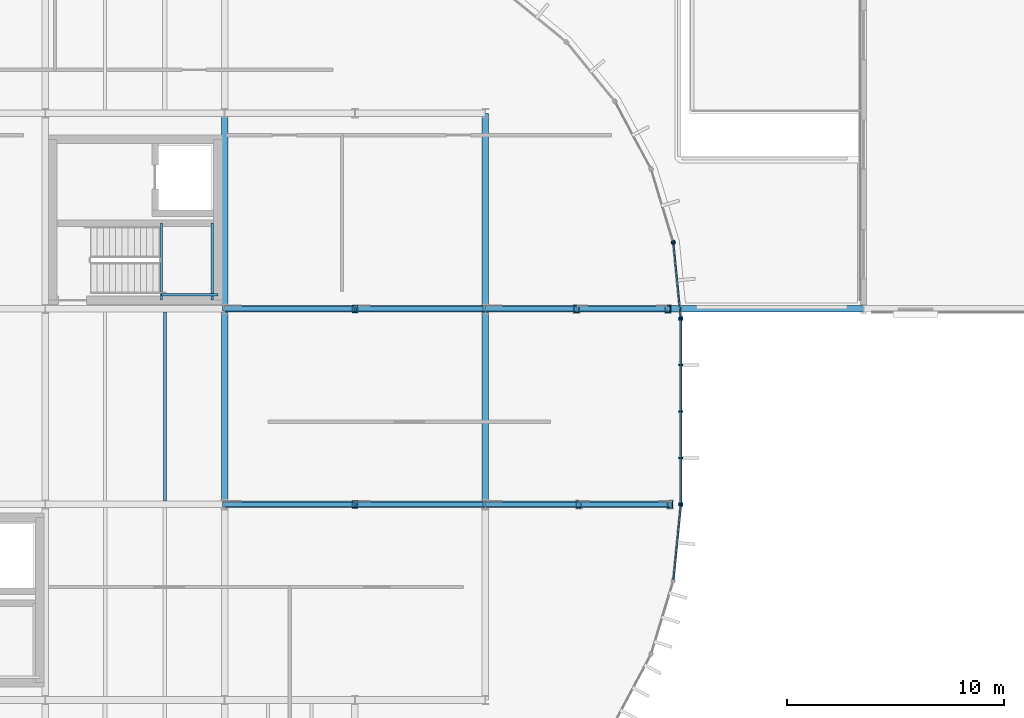
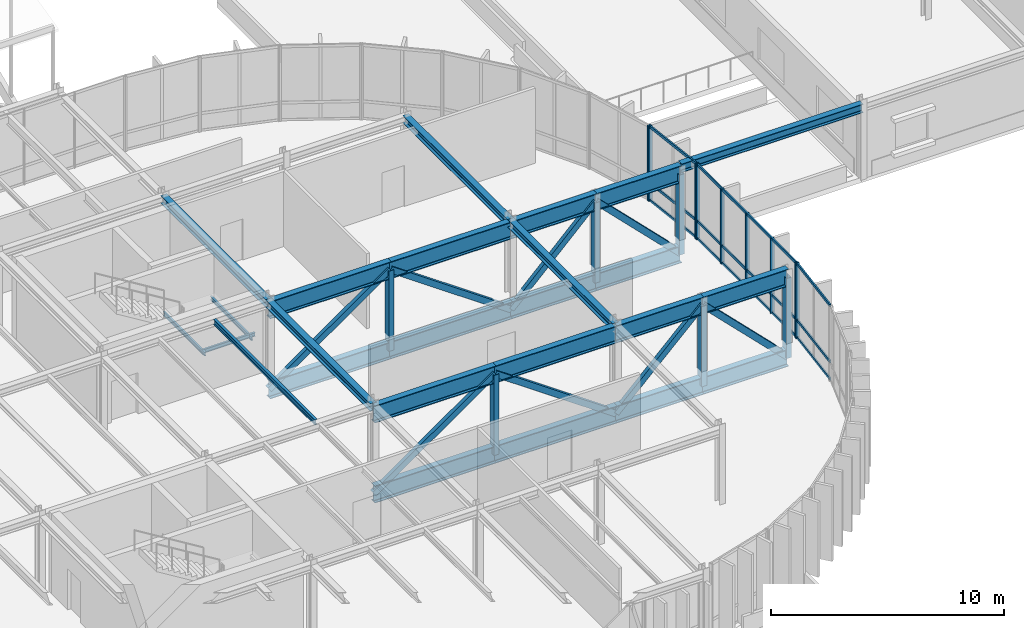
# One storey, part 17 of 69: 32 members, 25 beams, 4 elements without a shape of their own.
"""IFC4 building model written with IfcOpenShell, lengths in metres."""

import ifcopenshell
import ifcopenshell.guid

model = None  # the IFC model being written
_history = None  # IfcOwnerHistory: only IFC2X3 demands one
_inside = {}  # id of a spatial element -> (the spatial element, [elements in it])
_under = {}  # id of a project, library or spatial element -> (it, [spatial elements below it])
_declared = {}  # id of a project -> (the project, [libraries it declares])
_typed = {}  # id of a type object -> (the type object, [elements of that type])
_made_of = {}  # id of a material, layer set ... -> (it, [elements and type objects made of it])


def new_model(schema):
    """Start an empty IFC model of exactly this schema.

    Asked for "IFC4X3", IfcOpenShell would pick the latest addendum, in which some entities
    have other attributes; the version numbers below select the first issue.
    IFC2X3 requires an IfcOwnerHistory on every rooted entity: one is made here for all.
    """
    global model, _history
    if schema == "IFC4X3":
        model = ifcopenshell.file(schema_version=(4, 3, 0, 0))
    else:
        model = ifcopenshell.file(schema=schema)
    _inside.clear()
    _under.clear()
    _declared.clear()
    _typed.clear()
    _made_of.clear()
    _history = None
    if model.schema == "IFC2X3":
        org = make("IfcOrganization", Name="unknown")
        user = make(
            "IfcPersonAndOrganization",
            ThePerson=make("IfcPerson", FamilyName="unknown"),
            TheOrganization=org,
        )
        app = make(
            "IfcApplication",
            ApplicationDeveloper=org,
            Version="unknown",
            ApplicationFullName="unknown",
            ApplicationIdentifier="unknown",
        )
        _history = make(
            "IfcOwnerHistory",
            OwningUser=user,
            OwningApplication=app,
            ChangeAction="ADDED",
            CreationDate=0,
        )
    return model


def make(cls, **values):
    """One entity of the class cls with the attributes given. An attribute that is None is left unset."""
    return model.create_entity(
        cls, **{name: value for name, value in values.items() if value is not None}
    )


def rooted(cls, **values):
    """An entity with a GlobalId (a new one), such as an element, a storey or a relation."""
    return make(cls, GlobalId=ifcopenshell.guid.new(), OwnerHistory=_history, **values)


def si_unit(unit_type, name, prefix=None):
    """IfcSIUnit, for example si_unit("LENGTHUNIT", "METRE", prefix="MILLI")."""
    return make("IfcSIUnit", UnitType=unit_type, Prefix=prefix, Name=name)


def assignment(units):
    """IfcUnitAssignment: the units of a project."""
    return None if units is None else make("IfcUnitAssignment", Units=units)


def point(xyz):
    """IfcCartesianPoint."""
    return None if xyz is None else make("IfcCartesianPoint", Coordinates=xyz)


def direction(xyz):
    """IfcDirection."""
    return None if xyz is None else make("IfcDirection", DirectionRatios=xyz)


def frame(location, z_axis=None, x_axis=None):
    """IfcAxis2Placement3D, a coordinate frame: its origin and axes. An axis left out is left unset."""
    return make(
        "IfcAxis2Placement3D",
        Location=point(location),
        Axis=direction(z_axis),
        RefDirection=direction(x_axis),
    )


def frame_2d(location, x_axis=None):
    """IfcAxis2Placement2D, a coordinate frame in the plane: its origin and x axis."""
    return make(
        "IfcAxis2Placement2D", Location=point(location), RefDirection=direction(x_axis)
    )


def origin():
    """The frame at (0, 0, 0) with its axes left unset."""
    return frame((0.0, 0.0, 0.0))


def origin_2d():
    """The frame at (0, 0) in the plane with its x axis left unset."""
    return frame_2d((0.0, 0.0))


def place(relative_to, where):
    """IfcLocalPlacement: puts the frame where relative to a parent placement (None: the world)."""
    return make(
        "IfcLocalPlacement", PlacementRelTo=relative_to, RelativePlacement=where
    )


def context(
    kind, dimensions, precision=None, world=None, true_north=None, identifier=None
):
    """IfcGeometricRepresentationContext, for example the 3D "Model" context."""
    return make(
        "IfcGeometricRepresentationContext",
        ContextIdentifier=identifier,
        ContextType=kind,
        CoordinateSpaceDimension=dimensions,
        Precision=precision,
        WorldCoordinateSystem=world,
        TrueNorth=true_north,
    )


def subcontext(parent, identifier, kind, view, scale=None):
    """IfcGeometricRepresentationSubContext, for example "Body" below "Model"."""
    return make(
        "IfcGeometricRepresentationSubContext",
        ContextIdentifier=identifier,
        ContextType=kind,
        ParentContext=parent,
        TargetScale=scale,
        TargetView=view,
    )


def project(units=None, contexts=None):
    """IfcProject with its units and contexts."""
    return rooted(
        "IfcProject",
        Name="project",
        RepresentationContexts=contexts,
        UnitsInContext=assignment(units),
    )


def spatial(cls, under=None, at=None, **own):
    """A site, building, storey or space (cls), placed at a placement, below another one or the project."""
    s = rooted(cls, ObjectPlacement=at, **own)
    if under is not None:
        _under.setdefault(under.id(), (under, []))[1].append(s)
    return s


def profile(cls, at=None, kind="AREA", **sizes):
    """A parametric profile (cls). Its sizes go by their IFC names, for example OverallWidth=200.0."""
    return make(cls, ProfileType=kind, Position=at, **sizes)


def rectangle(**sizes):
    """IfcRectangleProfileDef."""
    return profile("IfcRectangleProfileDef", **sizes)


def hollow_rectangle(**sizes):
    """IfcRectangleHollowProfileDef."""
    return profile("IfcRectangleHollowProfileDef", **sizes)


def i_section(**sizes):
    """IfcIShapeProfileDef."""
    return profile("IfcIShapeProfileDef", **sizes)


def extrude(swept, where, along, depth):
    """IfcExtrudedAreaSolid: the profile swept, set in the frame where, extruded along a direction by depth."""
    return make(
        "IfcExtrudedAreaSolid",
        SweptArea=swept,
        Position=where,
        ExtrudedDirection=direction(along),
        Depth=depth,
    )


def shape(context_of_items, identifier, shape_type, items):
    """IfcShapeRepresentation: the items that make up one representation, for example the "Body"."""
    return make(
        "IfcShapeRepresentation",
        ContextOfItems=context_of_items,
        RepresentationIdentifier=identifier,
        RepresentationType=shape_type,
        Items=items,
    )


def material(Name=None, Category=None):
    """IfcMaterial."""
    return make("IfcMaterial", Name=Name, Category=Category)


def layer(
    of_material, thickness, ventilated=None, Name=None, Category=None, Priority=None
):
    """IfcMaterialLayer: one layer of a wall or slab, of a material (None: an air gap)."""
    return make(
        "IfcMaterialLayer",
        Material=of_material,
        LayerThickness=thickness,
        IsVentilated=ventilated,
        Name=Name,
        Category=Category,
        Priority=Priority,
    )


def layer_set(layers, Name=None):
    """IfcMaterialLayerSet."""
    return make("IfcMaterialLayerSet", MaterialLayers=layers, LayerSetName=Name)


def material_profile(
    of_material, cross_section, Name=None, Category=None, Priority=None
):
    """IfcMaterialProfile: a cross section and its material."""
    return make(
        "IfcMaterialProfile",
        Name=Name,
        Material=of_material,
        Profile=cross_section,
        Priority=Priority,
        Category=Category,
    )


def profile_set(profiles, Name=None, composite=None):
    """IfcMaterialProfileSet."""
    return make(
        "IfcMaterialProfileSet",
        Name=Name,
        MaterialProfiles=profiles,
        CompositeProfile=composite,
    )


def made_of(thing, what):
    """Note that an element or type object is made of a material, layer set ...; save() writes the relation."""
    if what is not None:
        _made_of.setdefault(what.id(), (what, []))[1].append(thing)
    return thing


def type_object(cls, material=None, **own):
    """A type object (cls), such as IfcWallType, which elements share."""
    return made_of(rooted(cls, **own), material)


def element(
    cls,
    number,
    at=None,
    inside=None,
    cuts=None,
    type_object=None,
    material=None,
    context=None,
    identifier="Body",
    shape_type=None,
    held_by="IfcProductDefinitionShape",
    body=None,
    shapes=None,
    **own,
):
    """One element of the class cls, such as IfcWall. Its Tag is "e" and its number.

    at: its placement. inside: the storey or other place that contains it. cuts: it is an
    opening in that element (IfcRelVoidsElement). A single representation is given by context,
    identifier, shape_type and body (its items); several are given by shapes. held_by: the class
    of the entity that holds the representations. save() writes the other relations.
    """
    e = rooted(cls, Tag="e%d" % number, ObjectPlacement=at, **own)
    if body is not None:
        shapes = [shape(context, identifier, shape_type, body)]
    if shapes is not None:
        e.Representation = make(held_by, Representations=shapes)
    if inside is not None:
        _inside.setdefault(inside.id(), (inside, []))[1].append(e)
    if cuts is not None:
        rooted(
            "IfcRelVoidsElement", RelatingBuildingElement=cuts, RelatedOpeningElement=e
        )
    if type_object is not None:
        _typed.setdefault(type_object.id(), (type_object, []))[1].append(e)
    return made_of(e, material)


def aggregate(whole, parts):
    """IfcRelAggregates: a whole, such as a stair, and the parts it consists of."""
    return rooted("IfcRelAggregates", RelatingObject=whole, RelatedObjects=parts)


def save(model, path):
    """Write the relations noted so far, then the file.

    IfcRelAggregates (storeys below a building ...), IfcRelContainedInSpatialStructure (elements
    in a storey), IfcRelDefinesByType, IfcRelAssociatesMaterial and IfcRelDeclares: one each for
    every whole, place, type object, material and project.
    """
    for whole, parts in _under.values():
        aggregate(whole, parts)
    for where, things in _inside.values():
        rooted(
            "IfcRelContainedInSpatialStructure",
            RelatedElements=things,
            RelatingStructure=where,
        )
    for kind, things in _typed.values():
        rooted("IfcRelDefinesByType", RelatedObjects=things, RelatingType=kind)
    for what, things in _made_of.values():
        rooted("IfcRelAssociatesMaterial", RelatedObjects=things, RelatingMaterial=what)
    for by, libraries in _declared.values():
        rooted("IfcRelDeclares", RelatingContext=by, RelatedDefinitions=libraries)
    model.write(path)


model = new_model("IFC4")

# Units and contexts
model_context = context("Model", 3, precision=1e-05, world=origin(), true_north=direction((0.0, 1.0)))
body_context = subcontext(model_context, "Body", "Model", "MODEL_VIEW")
ifc_project = project(units=[si_unit("LENGTHUNIT", "METRE"), si_unit("AREAUNIT", "SQUARE_METRE"), si_unit("VOLUMEUNIT", "CUBIC_METRE"), si_unit("PLANEANGLEUNIT", "RADIAN"), si_unit("MASSUNIT", "GRAM", prefix="KILO")], contexts=[model_context])

# Site, building, storey
site_placement = place(None, origin())
site = spatial("IfcSite", under=ifc_project, at=site_placement, CompositionType="ELEMENT")
building_placement = place(site_placement, origin())
building = spatial("IfcBuilding", under=site, at=building_placement, Name="Montealbar Specialist Clinic", CompositionType="ELEMENT")
storey_placement = place(building_placement, frame((0.0, 0.0, 9.60009765625)))
storey = spatial("IfcBuildingStorey", under=building, at=storey_placement, Name="L02", CompositionType="ELEMENT", Elevation=9.60009765625)

# Beams
ifc_material_1 = material(Name="Steel S355", Category="steel")
ifc_material_profile_1 = material_profile(ifc_material_1, i_section(OverallWidth=0.300048828125, OverallDepth=0.39990234375, WebThickness=0.013427734375, FlangeThickness=0.02392578125, FilletRadius=0.027099609375, at=origin_2d()), Name="HEB 400", Category="steel")
ifc_profile_set_1 = profile_set([ifc_material_profile_1], Name="Steel S355")
beam_type_1 = type_object("IfcBeamType", Name="BM-GIRD-HEB400", PredefinedType="BEAM", material=ifc_profile_set_1)
for number, where, z_axis, x_axis, name in (
    (1, (99.0, 18.0, 3.72998046875), (0.0, 1.0, 0.0), (-1.0, 0.0, 0.0), "Beam GY-L02-990-180-270"),
    (2, (99.0, 27.0, 3.72998046875), (0.0, 1.0, 0.0), (-1.0, 0.0, 0.0), "Beam GY-L02-990-270-360"),
    (3, (111.0, 18.0, 3.72998046875), (0.0, 1.0, 0.0), (-1.0, 0.0, 0.0), "Beam GY-L02-1110-180-270"),
    (4, (111.0, 27.0, 3.72998046875), (0.0, 1.0, 0.0), (-1.0, 0.0, 0.0), "Beam GY-L02-1110-270-360"),
):
    element("IfcBeam", number, at=place(storey_placement, frame(where, z_axis=z_axis, x_axis=x_axis)), inside=storey, type_object=beam_type_1, Name=name, PredefinedType="BEAM", context=body_context, shape_type="SweptSolid", body=[
        extrude(i_section(OverallWidth=0.300048828125, OverallDepth=0.39990234375, WebThickness=0.013427734375, FlangeThickness=0.02392578125, FilletRadius=0.027099609375, at=origin_2d()), origin(), (0.0, 0.0, 1.0), 9.0),
    ])
ifc_material_profile_2 = material_profile(ifc_material_1, i_section(OverallWidth=0.300048828125, OverallDepth=0.449951171875, WebThickness=0.013916015625, FlangeThickness=0.02587890625, FilletRadius=0.027099609375, at=origin_2d()), Name="HEB 450", Category="steel")
ifc_profile_set_2 = profile_set([ifc_material_profile_2], Name="Steel S355")
beam_type_2 = type_object("IfcBeamType", Name="BM-GIRD-HEB450-EXT", PredefinedType="BEAM", material=ifc_profile_set_2)
beam_1_placement = place(storey_placement, frame((119.39990234375, 27.0, 3.704833984375), z_axis=(1.0, 0.0, 0.0), x_axis=(0.0, 1.0, 0.0)))
element("IfcBeam", 5, at=beam_1_placement, inside=storey, type_object=beam_type_2, Name="Beam GX-L02-1194-1284-270", PredefinedType="BEAM", context=body_context, shape_type="SweptSolid", body=[
    extrude(i_section(OverallWidth=0.300048828125, OverallDepth=0.449951171875, WebThickness=0.013916015625, FlangeThickness=0.02587890625, FilletRadius=0.027099609375, at=origin_2d()), origin(), (0.0, 0.0, 1.0), 9.0),
])
ifc_material_profile_3 = material_profile(ifc_material_1, i_section(OverallWidth=0.135009765625, OverallDepth=0.27001953125, WebThickness=0.006591796875, FlangeThickness=0.01025390625, FilletRadius=0.014892578125, at=origin_2d()), Name="IPE 270", Category="steel")
ifc_profile_set_3 = profile_set([ifc_material_profile_3], Name="Steel S355")
beam_type_3 = type_object("IfcBeamType", Name="BM-JST-IPE270", PredefinedType="JOIST", material=ifc_profile_set_3)
beam_2_placement = place(storey_placement, frame((96.25, 18.14990234375, 3.794921875), z_axis=(0.0, 1.0, 0.0), x_axis=(-1.0, 0.0, 0.0)))
element("IfcBeam", 6, at=beam_2_placement, inside=storey, type_object=beam_type_3, Name="Beam JST-L02-962-182-268", PredefinedType="JOIST", context=body_context, shape_type="SweptSolid", body=[
    extrude(i_section(OverallWidth=0.135009765625, OverallDepth=0.27001953125, WebThickness=0.006591796875, FlangeThickness=0.01025390625, FilletRadius=0.014892578125, at=origin_2d()), origin(), (0.0, 0.0, 1.0), 8.7001953125),
])
ifc_material_profile_4 = material_profile(ifc_material_1, i_section(OverallWidth=0.10009765625, OverallDepth=0.199951171875, WebThickness=0.005615234375, FlangeThickness=0.008544921875, FilletRadius=0.011962890625, at=origin_2d()), Name="IPE 200", Category="steel")
ifc_profile_set_4 = profile_set([ifc_material_profile_4], Name="Steel S355")
beam_type_4 = type_object("IfcBeamType", Name="BM-LINT-IPE200", PredefinedType="LINTEL", material=ifc_profile_set_4)
for number, where, z_axis, x_axis, name in (
    (7, (96.10498046875, 27.39990234375, 1.7998046875), (0.0, 1.0, 0.0), (-1.0, 0.0, 0.0), "Core C5 Stair Landing Beam L02 W"),
    (8, (98.429931640625, 27.39990234375, 1.7998046875), (0.0, 1.0, 0.0), (-1.0, 0.0, 0.0), "Core C5 Stair Landing Beam L02 E"),
):
    element("IfcBeam", number, at=place(storey_placement, frame(where, z_axis=z_axis, x_axis=x_axis)), inside=storey, type_object=beam_type_4, Name=name, PredefinedType="LINTEL", context=body_context, shape_type="SweptSolid", body=[
        extrude(i_section(OverallWidth=0.10009765625, OverallDepth=0.199951171875, WebThickness=0.005615234375, FlangeThickness=0.008544921875, FilletRadius=0.011962890625, at=origin_2d()), origin(), (0.0, 0.0, 1.0), 3.550048828125),
    ])
beam_3_placement = place(storey_placement, frame((96.10498046875, 27.64990234375, 1.7998046875), z_axis=(1.0, 0.0, 0.0), x_axis=(0.0, 1.0, 0.0)))
element("IfcBeam", 9, at=beam_3_placement, inside=storey, type_object=beam_type_4, Name="Core C5 Stair Landing Tie Beam L02", PredefinedType="LINTEL", context=body_context, shape_type="SweptSolid", body=[
    extrude(i_section(OverallWidth=0.10009765625, OverallDepth=0.199951171875, WebThickness=0.005615234375, FlangeThickness=0.008544921875, FilletRadius=0.011962890625, at=origin_2d()), origin(), (0.0, 0.0, 1.0), 2.594970703125),
])
ifc_material_profile_5 = material_profile(ifc_material_1, i_section(OverallWidth=0.300048828125, OverallDepth=0.89990234375, WebThickness=0.0185546875, FlangeThickness=0.034912109375, FilletRadius=0.030029296875, at=origin_2d()), Name="HEB 900", Category="steel")
ifc_profile_set_5 = profile_set([ifc_material_profile_5], Name="Steel S355")
beam_type_5 = type_object("IfcBeamType", Name="BM-XFER-HEB900", PredefinedType="BEAM", material=ifc_profile_set_5)
for number, where, z_axis, x_axis, name in (
    (10, (99.0, 18.0, -0.7900390625), (1.0, 0.0, 0.0), (0.0, 1.0, 0.0), "Transfer truss TT-E1 bottom chord 1"),
    (11, (99.0, 18.0, 3.409912109375), (1.0, 0.0, 0.0), (0.0, 1.0, 0.0), "Transfer truss TT-E1 top chord 1"),
    (12, (105.0, 18.0, -0.7900390625), (1.0, 0.0, 0.0), (0.0, 1.0, 0.0), "Transfer truss TT-E1 bottom chord 2"),
    (13, (105.0, 18.0, 3.409912109375), (1.0, 0.0, 0.0), (0.0, 1.0, 0.0), "Transfer truss TT-E1 top chord 2"),
):
    element("IfcBeam", number, at=place(storey_placement, frame(where, z_axis=z_axis, x_axis=x_axis)), inside=storey, type_object=beam_type_5, Name=name, PredefinedType="BEAM", context=body_context, shape_type="SweptSolid", body=[
        extrude(i_section(OverallWidth=0.300048828125, OverallDepth=0.89990234375, WebThickness=0.0185546875, FlangeThickness=0.034912109375, FilletRadius=0.030029296875, at=origin_2d()), origin(), (0.0, 0.0, 1.0), 6.0),
    ])
for number, where, z_axis, x_axis, name in (
    (14, (111.0, 18.0, -0.7900390625), (1.0, 0.0, 0.0), (0.0, 1.0, 0.0), "Transfer truss TT-E1 bottom chord 3"),
    (15, (111.0, 18.0, 3.409912109375), (1.0, 0.0, 0.0), (0.0, 1.0, 0.0), "Transfer truss TT-E1 top chord 3"),
):
    element("IfcBeam", number, at=place(storey_placement, frame(where, z_axis=z_axis, x_axis=x_axis)), inside=storey, type_object=beam_type_5, Name=name, PredefinedType="BEAM", context=body_context, shape_type="SweptSolid", body=[
        extrude(i_section(OverallWidth=0.300048828125, OverallDepth=0.89990234375, WebThickness=0.0185546875, FlangeThickness=0.034912109375, FilletRadius=0.030029296875, at=origin_2d()), origin(), (0.0, 0.0, 1.0), 4.300048828125),
    ])
for number, where, z_axis, x_axis, name in (
    (16, (115.300048828125, 18.0, -0.7900390625), (1.0, 0.0, 0.0), (0.0, 1.0, 0.0), "Transfer truss TT-E1 bottom chord 4"),
    (17, (115.300048828125, 18.0, 3.409912109375), (1.0, 0.0, 0.0), (0.0, 1.0, 0.0), "Transfer truss TT-E1 top chord 4"),
):
    element("IfcBeam", number, at=place(storey_placement, frame(where, z_axis=z_axis, x_axis=x_axis)), inside=storey, type_object=beam_type_5, Name=name, PredefinedType="BEAM", context=body_context, shape_type="SweptSolid", body=[
        extrude(i_section(OverallWidth=0.300048828125, OverallDepth=0.89990234375, WebThickness=0.0185546875, FlangeThickness=0.034912109375, FilletRadius=0.030029296875, at=origin_2d()), origin(), (0.0, 0.0, 1.0), 4.199951171875),
    ])
for number, where, z_axis, x_axis, name in (
    (18, (99.0, 27.0, -0.7900390625), (1.0, 0.0, 0.0), (0.0, 1.0, 0.0), "Transfer truss TT-E2 bottom chord 1"),
    (19, (99.0, 27.0, 3.409912109375), (1.0, 0.0, 0.0), (0.0, 1.0, 0.0), "Transfer truss TT-E2 top chord 1"),
    (20, (105.0, 27.0, -0.7900390625), (1.0, 0.0, 0.0), (0.0, 1.0, 0.0), "Transfer truss TT-E2 bottom chord 2"),
    (21, (105.0, 27.0, 3.409912109375), (1.0, 0.0, 0.0), (0.0, 1.0, 0.0), "Transfer truss TT-E2 top chord 2"),
):
    element("IfcBeam", number, at=place(storey_placement, frame(where, z_axis=z_axis, x_axis=x_axis)), inside=storey, type_object=beam_type_5, Name=name, PredefinedType="BEAM", context=body_context, shape_type="SweptSolid", body=[
        extrude(i_section(OverallWidth=0.300048828125, OverallDepth=0.89990234375, WebThickness=0.0185546875, FlangeThickness=0.034912109375, FilletRadius=0.030029296875, at=origin_2d()), origin(), (0.0, 0.0, 1.0), 6.0),
    ])
for number, where, z_axis, x_axis, name in (
    (22, (111.0, 27.0, -0.7900390625), (1.0, 0.0, 0.0), (0.0, 1.0, 0.0), "Transfer truss TT-E2 bottom chord 3"),
    (23, (111.0, 27.0, 3.409912109375), (1.0, 0.0, 0.0), (0.0, 1.0, 0.0), "Transfer truss TT-E2 top chord 3"),
    (24, (115.199951171875, 27.0, -0.7900390625), (1.0, 0.0, 0.0), (0.0, 1.0, 0.0), "Transfer truss TT-E2 bottom chord 4"),
    (25, (115.199951171875, 27.0, 3.409912109375), (1.0, 0.0, 0.0), (0.0, 1.0, 0.0), "Transfer truss TT-E2 top chord 4"),
):
    element("IfcBeam", number, at=place(storey_placement, frame(where, z_axis=z_axis, x_axis=x_axis)), inside=storey, type_object=beam_type_5, Name=name, PredefinedType="BEAM", context=body_context, shape_type="SweptSolid", body=[
        extrude(i_section(OverallWidth=0.300048828125, OverallDepth=0.89990234375, WebThickness=0.0185546875, FlangeThickness=0.034912109375, FilletRadius=0.030029296875, at=origin_2d()), origin(), (0.0, 0.0, 1.0), 4.199951171875),
    ])

# Curtain wall, member
ifc_material_2 = material(Name="Low-E double glazing", Category="glass")
ifc_layer_1 = layer(ifc_material_2, 0.199951171875, Name="Low-E double glazing", Category="glass")
ifc_layer_set_1 = layer_set([ifc_layer_1], Name="Low-E double glazing")
curtain_wall_type_1 = type_object("IfcCurtainWallType", Name="CW-TYPE-12", PredefinedType="NOTDEFINED", material=ifc_layer_set_1)
curtain_wall_1_placement = place(storey_placement, origin())
curtain_wall_1 = element("IfcCurtainWall", 26, at=curtain_wall_1_placement, inside=storey, type_object=curtain_wall_type_1, Name="Unitised Curtain Wall CW-L02-1186-334-1197-301-96", PredefinedType="NOTDEFINED")
ifc_material_3 = material(Name="Anodised aluminium EN AW-6063", Category="aluminium")
ifc_material_profile_6 = material_profile(ifc_material_3, rectangle(XDim=0.070068359375, YDim=0.179931640625, at=origin_2d()), Name="ALU 70x180", Category="aluminium")
ifc_profile_set_6 = profile_set([ifc_material_profile_6], Name="Anodised aluminium EN AW-6063")
member_type_1 = type_object("IfcMemberType", Name="CW-MUL-200", PredefinedType="MULLION", material=ifc_profile_set_6)
member_1_placement = place(storey_placement, frame((119.64208984375, 30.10009765625, 0.0), z_axis=(0.0, 0.0, 1.0), x_axis=(0.290259134399, -0.956948083701, 0.0)))
member_1 = element("IfcMember", 27, at=member_1_placement, type_object=member_type_1, Name="Curtain Wall Mullion CW-L02-1186-334-1197-301-96-01", PredefinedType="MULLION", context=body_context, shape_type="SweptSolid", body=[
    extrude(rectangle(XDim=0.070068359375, YDim=0.179931640625, at=origin_2d()), origin(), (0.0, 0.0, 1.0), 3.929931640625),
])
aggregate(curtain_wall_1, [member_1])

# Curtain wall, members
curtain_wall_2_placement = place(storey_placement, origin())
curtain_wall_2 = element("IfcCurtainWall", 28, at=curtain_wall_2_placement, inside=storey, type_object=curtain_wall_type_1, Name="Unitised Curtain Wall CW-L02-1197-301-1200-266-96", PredefinedType="NOTDEFINED")
member_2_placement = place(storey_placement, frame((119.657958984375, 30.02197265625, 0.0), z_axis=(0.0, 0.0, 1.0), x_axis=(0.098044697094, -0.995182012183, 0.0)))
member_2 = element("IfcMember", 29, at=member_2_placement, type_object=member_type_1, Name="Curtain Wall Mullion CW-L02-1197-301-1200-266-96-00", PredefinedType="MULLION", context=body_context, shape_type="SweptSolid", body=[
    extrude(rectangle(XDim=0.070068359375, YDim=0.179931640625, at=origin_2d()), origin(), (0.0, 0.0, 1.0), 3.929931640625),
])
member_3_placement = place(storey_placement, frame((119.99609375, 26.590087890625, 0.0), z_axis=(0.0, 0.0, 1.0), x_axis=(0.098044697094, -0.995182012183, 0.0)))
member_3 = element("IfcMember", 30, at=member_3_placement, type_object=member_type_1, Name="Curtain Wall Mullion CW-L02-1197-301-1200-266-96-01", PredefinedType="MULLION", context=body_context, shape_type="SweptSolid", body=[
    extrude(rectangle(XDim=0.070068359375, YDim=0.179931640625, at=origin_2d()), origin(), (0.0, 0.0, 1.0), 3.929931640625),
])

ifc_layer_2 = layer(ifc_material_2, 0.199951171875, Name="Low-E double glazing", Category="glass")
ifc_layer_set_2 = layer_set([ifc_layer_2], Name="Low-E double glazing")
curtain_wall_type_2 = type_object("IfcCurtainWallType", Name="CW-TYPE-14", PredefinedType="NOTDEFINED", material=ifc_layer_set_2)
curtain_wall_3_placement = place(storey_placement, origin())
curtain_wall_3 = element("IfcCurtainWall", 31, at=curtain_wall_3_placement, inside=storey, type_object=curtain_wall_type_2, Name="Unitised Curtain Wall CW-L02-1200-266-1200-180-96", PredefinedType="NOTDEFINED")
member_4_placement = place(storey_placement, frame((120.0, 26.510009765625, 0.0), z_axis=(0.0, 0.0, 1.0), x_axis=(0.0, -1.0, 0.0)))
member_4 = element("IfcMember", 32, at=member_4_placement, type_object=member_type_1, Name="Curtain Wall Mullion CW-L02-1200-266-1200-180-96-00", PredefinedType="MULLION", context=body_context, shape_type="SweptSolid", body=[
    extrude(rectangle(XDim=0.070068359375, YDim=0.179931640625, at=origin_2d()), origin(), (0.0, 0.0, 1.0), 3.929931640625),
])
member_5_placement = place(storey_placement, frame((120.0, 24.4130859375, 0.0), z_axis=(0.0, 0.0, 1.0), x_axis=(0.0, -1.0, 0.0)))
member_5 = element("IfcMember", 33, at=member_5_placement, type_object=member_type_1, Name="Curtain Wall Mullion CW-L02-1200-266-1200-180-96-01", PredefinedType="MULLION", context=body_context, shape_type="SweptSolid", body=[
    extrude(rectangle(XDim=0.070068359375, YDim=0.179931640625, at=origin_2d()), origin(), (0.0, 0.0, 1.0), 3.929931640625),
])
member_6_placement = place(storey_placement, frame((120.0, 22.27490234375, 0.0), z_axis=(0.0, 0.0, 1.0), x_axis=(0.0, -1.0, 0.0)))
member_6 = element("IfcMember", 34, at=member_6_placement, type_object=member_type_1, Name="Curtain Wall Mullion CW-L02-1200-266-1200-180-96-02", PredefinedType="MULLION", context=body_context, shape_type="SweptSolid", body=[
    extrude(rectangle(XDim=0.070068359375, YDim=0.179931640625, at=origin_2d()), origin(), (0.0, 0.0, 1.0), 3.929931640625),
])
member_7_placement = place(storey_placement, frame((120.0, 20.136962890625, 0.0), z_axis=(0.0, 0.0, 1.0), x_axis=(0.0, -1.0, 0.0)))
member_7 = element("IfcMember", 35, at=member_7_placement, type_object=member_type_1, Name="Curtain Wall Mullion CW-L02-1200-266-1200-180-96-03", PredefinedType="MULLION", context=body_context, shape_type="SweptSolid", body=[
    extrude(rectangle(XDim=0.070068359375, YDim=0.179931640625, at=origin_2d()), origin(), (0.0, 0.0, 1.0), 3.929931640625),
])
member_8_placement = place(storey_placement, frame((120.0, 18.0400390625, 0.0), z_axis=(0.0, 0.0, 1.0), x_axis=(0.0, -1.0, 0.0)))
member_8 = element("IfcMember", 36, at=member_8_placement, type_object=member_type_1, Name="Curtain Wall Mullion CW-L02-1200-266-1200-180-96-04", PredefinedType="MULLION", context=body_context, shape_type="SweptSolid", body=[
    extrude(rectangle(XDim=0.070068359375, YDim=0.179931640625, at=origin_2d()), origin(), (0.0, 0.0, 1.0), 3.929931640625),
])

# Curtain wall, member
curtain_wall_4_placement = place(storey_placement, origin())
curtain_wall_4 = element("IfcCurtainWall", 37, at=curtain_wall_4_placement, inside=storey, type_object=curtain_wall_type_1, Name="Unitised Curtain Wall CW-L02-1200-180-1197-145-96", PredefinedType="NOTDEFINED")
member_9_placement = place(storey_placement, frame((119.99609375, 17.9599609375, 0.0), z_axis=(0.0, 0.0, 1.0), x_axis=(-0.098044697094, -0.995182012183, 0.0)))
member_9 = element("IfcMember", 38, at=member_9_placement, type_object=member_type_1, Name="Curtain Wall Mullion CW-L02-1200-180-1197-145-96-00", PredefinedType="MULLION", context=body_context, shape_type="SweptSolid", body=[
    extrude(rectangle(XDim=0.070068359375, YDim=0.179931640625, at=origin_2d()), origin(), (0.0, 0.0, 1.0), 3.929931640625),
])

# Member
ifc_material_4 = material(Name="Powder-coated aluminium", Category="aluminium")
ifc_material_profile_7 = material_profile(ifc_material_4, rectangle(XDim=0.070068359375, YDim=0.139892578125, at=origin_2d()), Name="ALU 70x140", Category="aluminium")
ifc_profile_set_7 = profile_set([ifc_material_profile_7], Name="Powder-coated aluminium")
member_type_2 = type_object("IfcMemberType", Name="CW-TRN-140", PredefinedType="USERDEFINED", material=ifc_profile_set_7)
member_10_placement = place(storey_placement, frame((119.658935546875, 30.011962890625, 0.039794921875), z_axis=(0.098058232162, -0.995180678623, 0.0), x_axis=(0.995180678623, 0.098058232162, 0.0)))
member_10 = element("IfcMember", 39, at=member_10_placement, type_object=member_type_2, Name="Curtain Wall Transom CW-L02-1197-301-1200-266-96-00", ObjectType="TRANSOM", PredefinedType="USERDEFINED", context=body_context, shape_type="SweptSolid", body=[
    extrude(rectangle(XDim=0.070068359375, YDim=0.139892578125, at=origin_2d()), origin(), (0.0, 0.0, 1.0), 3.428466796875),
])

member_11_placement = place(storey_placement, frame((119.658935546875, 30.011962890625, 0.949951171875), z_axis=(0.098058232162, -0.995180678623, 0.0), x_axis=(0.995180678623, 0.098058232162, 0.0)))
member_11 = element("IfcMember", 40, at=member_11_placement, type_object=member_type_2, Name="Curtain Wall Transom CW-L02-1197-301-1200-266-96-01", ObjectType="TRANSOM", PredefinedType="USERDEFINED", context=body_context, shape_type="SweptSolid", body=[
    extrude(rectangle(XDim=0.070068359375, YDim=0.139892578125, at=origin_2d()), origin(), (0.0, 0.0, 1.0), 3.428466796875),
])

member_12_placement = place(storey_placement, frame((119.658935546875, 30.011962890625, 3.889892578125), z_axis=(0.098058232162, -0.995180678623, 0.0), x_axis=(0.995180678623, 0.098058232162, 0.0)))
member_12 = element("IfcMember", 41, at=member_12_placement, type_object=member_type_2, Name="Curtain Wall Transom CW-L02-1197-301-1200-266-96-02", ObjectType="TRANSOM", PredefinedType="USERDEFINED", context=body_context, shape_type="SweptSolid", body=[
    extrude(rectangle(XDim=0.070068359375, YDim=0.139892578125, at=origin_2d()), origin(), (0.0, 0.0, 1.0), 3.428466796875),
])

aggregate(curtain_wall_2, [member_2, member_3, member_10, member_11, member_12])

member_13_placement = place(storey_placement, frame((120.0, 26.5, 0.039794921875), z_axis=(0.0, -1.0, 0.0), x_axis=(1.0, 0.0, 0.0)))
member_13 = element("IfcMember", 42, at=member_13_placement, type_object=member_type_2, Name="Curtain Wall Transom CW-L02-1200-266-1200-180-96-00", ObjectType="TRANSOM", PredefinedType="USERDEFINED", context=body_context, shape_type="SweptSolid", body=[
    extrude(rectangle(XDim=0.070068359375, YDim=0.139892578125, at=origin_2d()), origin(), (0.0, 0.0, 1.0), 8.449951171875),
])

member_14_placement = place(storey_placement, frame((120.0, 26.5, 0.949951171875), z_axis=(0.0, -1.0, 0.0), x_axis=(1.0, 0.0, 0.0)))
member_14 = element("IfcMember", 43, at=member_14_placement, type_object=member_type_2, Name="Curtain Wall Transom CW-L02-1200-266-1200-180-96-01", ObjectType="TRANSOM", PredefinedType="USERDEFINED", context=body_context, shape_type="SweptSolid", body=[
    extrude(rectangle(XDim=0.070068359375, YDim=0.139892578125, at=origin_2d()), origin(), (0.0, 0.0, 1.0), 8.449951171875),
])

member_15_placement = place(storey_placement, frame((120.0, 26.5, 3.889892578125), z_axis=(0.0, -1.0, 0.0), x_axis=(1.0, 0.0, 0.0)))
member_15 = element("IfcMember", 44, at=member_15_placement, type_object=member_type_2, Name="Curtain Wall Transom CW-L02-1200-266-1200-180-96-02", ObjectType="TRANSOM", PredefinedType="USERDEFINED", context=body_context, shape_type="SweptSolid", body=[
    extrude(rectangle(XDim=0.070068359375, YDim=0.139892578125, at=origin_2d()), origin(), (0.0, 0.0, 1.0), 8.449951171875),
])

aggregate(curtain_wall_3, [member_4, member_5, member_6, member_7, member_8, member_13, member_14, member_15])

member_16_placement = place(storey_placement, frame((119.9951171875, 17.949951171875, 0.039794921875), z_axis=(-0.098058232162, -0.995180678623, 0.0), x_axis=(0.995180678623, -0.098058232162, 0.0)))
member_16 = element("IfcMember", 45, at=member_16_placement, type_object=member_type_2, Name="Curtain Wall Transom CW-L02-1200-180-1197-145-96-00", ObjectType="TRANSOM", PredefinedType="USERDEFINED", context=body_context, shape_type="SweptSolid", body=[
    extrude(rectangle(XDim=0.070068359375, YDim=0.139892578125, at=origin_2d()), origin(), (0.0, 0.0, 1.0), 3.428466796875),
])

member_17_placement = place(storey_placement, frame((119.9951171875, 17.949951171875, 0.949951171875), z_axis=(-0.098058232162, -0.995180678623, 0.0), x_axis=(0.995180678623, -0.098058232162, 0.0)))
member_17 = element("IfcMember", 46, at=member_17_placement, type_object=member_type_2, Name="Curtain Wall Transom CW-L02-1200-180-1197-145-96-01", ObjectType="TRANSOM", PredefinedType="USERDEFINED", context=body_context, shape_type="SweptSolid", body=[
    extrude(rectangle(XDim=0.070068359375, YDim=0.139892578125, at=origin_2d()), origin(), (0.0, 0.0, 1.0), 3.428466796875),
])

member_18_placement = place(storey_placement, frame((119.9951171875, 17.949951171875, 3.889892578125), z_axis=(-0.098058232162, -0.995180678623, 0.0), x_axis=(0.995180678623, -0.098058232162, 0.0)))
member_18 = element("IfcMember", 47, at=member_18_placement, type_object=member_type_2, Name="Curtain Wall Transom CW-L02-1200-180-1197-145-96-02", ObjectType="TRANSOM", PredefinedType="USERDEFINED", context=body_context, shape_type="SweptSolid", body=[
    extrude(rectangle(XDim=0.070068359375, YDim=0.139892578125, at=origin_2d()), origin(), (0.0, 0.0, 1.0), 3.428466796875),
])

aggregate(curtain_wall_4, [member_9, member_16, member_17, member_18])

# Members
ifc_material_profile_8 = material_profile(ifc_material_1, hollow_rectangle(XDim=0.199951171875, YDim=0.300048828125, WallThickness=0.012451171875, at=origin_2d()), Name="RHS 300x200x12.5", Category="steel")
ifc_profile_set_8 = profile_set([ifc_material_profile_8], Name="Steel S355")
member_type_3 = type_object("IfcMemberType", Name="MB-TRUSS-DIAG", PredefinedType="BRACE", material=ifc_profile_set_8)
for number, where, z_axis, x_axis, name in (
    (48, (99.0, 18.0, -0.7900390625), (0.819235052632, 0.0, 0.57345786989), (0.0, 1.0, 0.0), "Transfer truss TT-E1 web diagonal 1"),
    (49, (105.0, 18.0, 3.409912109375), (0.819235052632, 0.0, -0.57345786989), (0.0, 1.0, 0.0), "Transfer truss TT-E1 web diagonal 2"),
):
    element("IfcMember", number, at=place(storey_placement, frame(where, z_axis=z_axis, x_axis=x_axis)), inside=storey, type_object=member_type_3, Name=name, PredefinedType="BRACE", context=body_context, shape_type="SweptSolid", body=[
        extrude(hollow_rectangle(XDim=0.199951171875, YDim=0.300048828125, WallThickness=0.012451171875, at=origin_2d()), origin(), (0.0, 0.0, 1.0), 7.323974609375),
    ])
member_19_placement = place(storey_placement, frame((111.0, 18.0, -0.7900390625), z_axis=(0.715384205844, 0.0, 0.698731306032), x_axis=(0.0, 1.0, 0.0)))
element("IfcMember", 50, at=member_19_placement, inside=storey, type_object=member_type_3, Name="Transfer truss TT-E1 web diagonal 3", PredefinedType="BRACE", context=body_context, shape_type="SweptSolid", body=[
    extrude(hollow_rectangle(XDim=0.199951171875, YDim=0.300048828125, WallThickness=0.012451171875, at=origin_2d()), origin(), (0.0, 0.0, 1.0), 6.0107421875),
])
member_20_placement = place(storey_placement, frame((115.300048828125, 18.0, 3.409912109375), z_axis=(0.707106781187, 0.0, -0.707106781187), x_axis=(0.0, 1.0, 0.0)))
element("IfcMember", 51, at=member_20_placement, inside=storey, type_object=member_type_3, Name="Transfer truss TT-E1 web diagonal 4", PredefinedType="BRACE", context=body_context, shape_type="SweptSolid", body=[
    extrude(hollow_rectangle(XDim=0.199951171875, YDim=0.300048828125, WallThickness=0.012451171875, at=origin_2d()), origin(), (0.0, 0.0, 1.0), 5.939697265625),
])
for number, where, z_axis, x_axis, name in (
    (52, (99.0, 27.0, -0.7900390625), (0.819235052632, 0.0, 0.57345786989), (0.0, 1.0, 0.0), "Transfer truss TT-E2 web diagonal 1"),
    (53, (105.0, 27.0, 3.409912109375), (0.819235052632, 0.0, -0.57345786989), (0.0, 1.0, 0.0), "Transfer truss TT-E2 web diagonal 2"),
):
    element("IfcMember", number, at=place(storey_placement, frame(where, z_axis=z_axis, x_axis=x_axis)), inside=storey, type_object=member_type_3, Name=name, PredefinedType="BRACE", context=body_context, shape_type="SweptSolid", body=[
        extrude(hollow_rectangle(XDim=0.199951171875, YDim=0.300048828125, WallThickness=0.012451171875, at=origin_2d()), origin(), (0.0, 0.0, 1.0), 7.323974609375),
    ])
for number, where, z_axis, x_axis, name in (
    (54, (111.0, 27.0, -0.7900390625), (0.707106781187, 0.0, 0.707106781187), (0.0, 1.0, 0.0), "Transfer truss TT-E2 web diagonal 3"),
    (55, (115.199951171875, 27.0, 3.409912109375), (0.707106781187, 0.0, -0.707106781187), (0.0, 1.0, 0.0), "Transfer truss TT-E2 web diagonal 4"),
):
    element("IfcMember", number, at=place(storey_placement, frame(where, z_axis=z_axis, x_axis=x_axis)), inside=storey, type_object=member_type_3, Name=name, PredefinedType="BRACE", context=body_context, shape_type="SweptSolid", body=[
        extrude(hollow_rectangle(XDim=0.199951171875, YDim=0.300048828125, WallThickness=0.012451171875, at=origin_2d()), origin(), (0.0, 0.0, 1.0), 5.939697265625),
    ])
ifc_material_profile_9 = material_profile(ifc_material_1, hollow_rectangle(XDim=0.25, YDim=0.35009765625, WallThickness=0.012451171875, at=origin_2d()), Name="RHS 350x250x12.5", Category="steel")
ifc_profile_set_9 = profile_set([ifc_material_profile_9], Name="Steel S355")
member_type_4 = type_object("IfcMemberType", Name="MB-TRUSS-POST", PredefinedType="BRACE", material=ifc_profile_set_9)
for number, where, z_axis, x_axis, name in (
    (56, (105.0, 18.0, -0.7900390625), (0.0, 0.0, 1.0), (1.0, 0.0, 0.0), "Transfer truss TT-E1 vertical post 1"),
    (57, (115.300048828125, 18.0, -0.7900390625), (0.0, 0.0, 1.0), (1.0, 0.0, 0.0), "Transfer truss TT-E1 vertical post 3"),
    (58, (119.5, 18.0, -0.7900390625), (0.0, 0.0, 1.0), (1.0, 0.0, 0.0), "Transfer truss TT-E1 vertical post 4"),
    (59, (105.0, 27.0, -0.7900390625), (0.0, 0.0, 1.0), (1.0, 0.0, 0.0), "Transfer truss TT-E2 vertical post 1"),
    (60, (115.199951171875, 27.0, -0.7900390625), (0.0, 0.0, 1.0), (1.0, 0.0, 0.0), "Transfer truss TT-E2 vertical post 3"),
    (61, (119.39990234375, 27.0, -0.7900390625), (0.0, 0.0, 1.0), (1.0, 0.0, 0.0), "Transfer truss TT-E2 vertical post 4"),
):
    element("IfcMember", number, at=place(storey_placement, frame(where, z_axis=z_axis, x_axis=x_axis)), inside=storey, type_object=member_type_4, Name=name, PredefinedType="BRACE", context=body_context, shape_type="SweptSolid", body=[
        extrude(hollow_rectangle(XDim=0.25, YDim=0.35009765625, WallThickness=0.012451171875, at=origin_2d()), origin(), (0.0, 0.0, 1.0), 4.199951171875),
    ])

save(model, "model.ifc")
